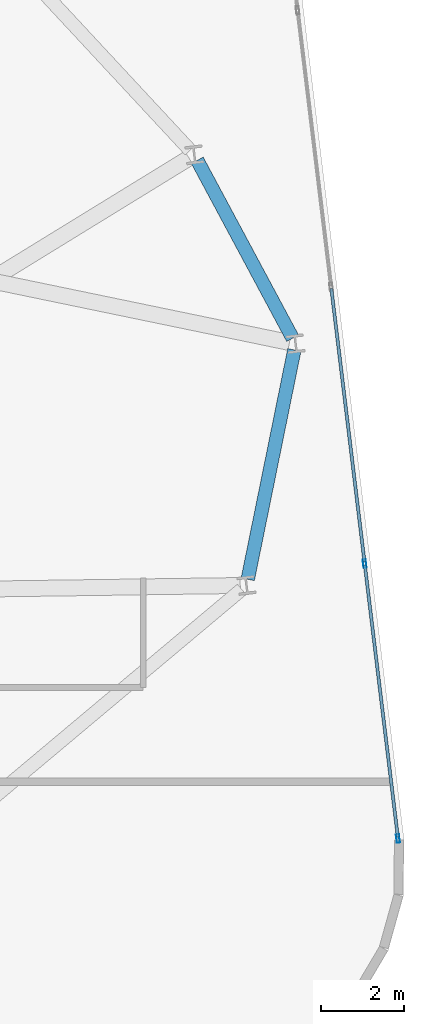
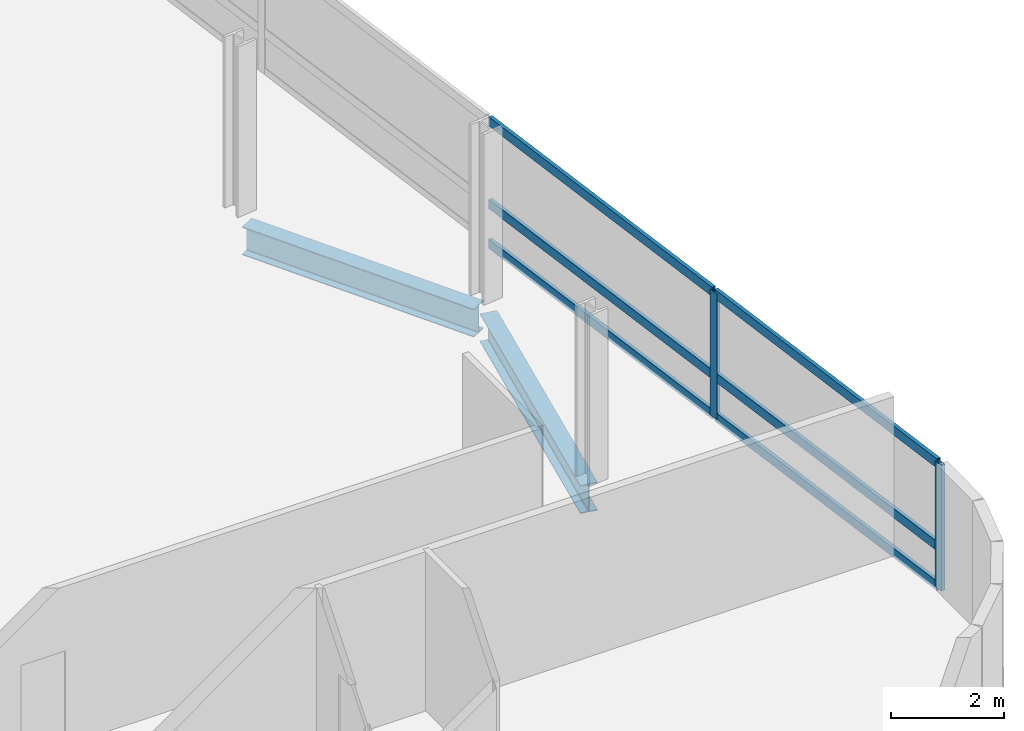
# One storey, part 10 of 22: 8 members, 2 beams, 1 element without a shape of its own.
"""IFC4 building model written with IfcOpenShell, lengths in metres."""

from ifc_helpers import new_model, si_unit, direction, frame, origin, origin_2d, place, context, subcontext, project, spatial, hollow_rectangle, i_section, extrude, material, layer, layer_set, material_profile, profile_set, type_object, element, aggregate, save


model = new_model("IFC4")

# Units and contexts
model_context = context("Model", 3, precision=1e-05, world=origin(), true_north=direction((0.0, 1.0)))
body_context = subcontext(model_context, "Body", "Model", "MODEL_VIEW")
ifc_project = project(units=[si_unit("LENGTHUNIT", "METRE"), si_unit("AREAUNIT", "SQUARE_METRE"), si_unit("VOLUMEUNIT", "CUBIC_METRE"), si_unit("PLANEANGLEUNIT", "RADIAN"), si_unit("MASSUNIT", "GRAM", prefix="KILO")], contexts=[model_context])

# Site, building, storey
site_placement = place(None, origin())
site = spatial("IfcSite", under=ifc_project, at=site_placement, CompositionType="ELEMENT")
building_placement = place(site_placement, origin())
building = spatial("IfcBuilding", under=site, at=building_placement, Name="Varnelok Gate Tower", CompositionType="ELEMENT")
storey_placement = place(building_placement, frame((0.0, 0.0, 178.300048828125)))
storey = spatial("IfcBuildingStorey", under=building, at=storey_placement, Name="L45", CompositionType="ELEMENT", Elevation=178.300048828125)

# Beams
ifc_material_1 = material(Name="Structural Steel ASTM A992 Grade 50", Category="steel")
ifc_material_profile_1 = material_profile(ifc_material_1, i_section(OverallWidth=0.323974609375, OverallDepth=0.611083984375, WebThickness=0.0126953125, FlangeThickness=0.01904296875, FilletRadius=0.01806640625, at=origin_2d()), Name="W24X104")
ifc_profile_set_1 = profile_set([ifc_material_profile_1], Name="Structural Steel ASTM A992 Grade 50")
beam_type = type_object("IfcBeamType", Name="BM-SPN-W24X104", PredefinedType="SPANDREL", material=ifc_profile_set_1)
beam_1_placement = place(storey_placement, frame((72.5068359375, 19.206298828125, -0.5556640625), z_axis=(0.19911018886, 0.979977108249, 0.0), x_axis=(-0.979977108249, 0.19911018886, 0.0)))
element("IfcBeam", 1, at=beam_1_placement, inside=storey, type_object=beam_type, Name="L45 Perimeter Spandrel Beam 6", PredefinedType="SPANDREL", context=body_context, shape_type="SweptSolid", body=[
    extrude(i_section(OverallWidth=0.323974609375, OverallDepth=0.611083984375, WebThickness=0.0126953125, FlangeThickness=0.01904296875, FilletRadius=0.01806640625, at=origin_2d()), origin(), (0.0, 0.0, 1.0), 5.612060546875),
])
beam_2_placement = place(storey_placement, frame((73.583251953125, 24.9853515625, -0.5556640625), z_axis=(-0.472471917257, 0.881345725242, 0.0), x_axis=(-0.881345725242, -0.472471917257, 0.0)))
element("IfcBeam", 2, at=beam_2_placement, inside=storey, type_object=beam_type, Name="L45 Perimeter Spandrel Beam 7", PredefinedType="SPANDREL", context=body_context, shape_type="SweptSolid", body=[
    extrude(i_section(OverallWidth=0.323974609375, OverallDepth=0.611083984375, WebThickness=0.0126953125, FlangeThickness=0.01904296875, FilletRadius=0.01806640625, at=origin_2d()), origin(), (0.0, 0.0, 1.0), 4.8408203125),
])

# Curtain wall, members
ifc_material_2 = material(Name="Anodized Aluminum Alloy 6063-T6", Category="aluminium")
ifc_layer = layer(ifc_material_2, 0.179931640625)
ifc_layer_set = layer_set([ifc_layer], Name="Anodized Aluminum Alloy 6063-T6")
curtain_wall_type = type_object("IfcCurtainWallType", Name="CW4-RESIDENCE-VISION", PredefinedType="USERDEFINED", material=ifc_layer_set)
curtain_wall_placement = place(storey_placement, origin())
curtain_wall = element("IfcCurtainWall", 3, at=curtain_wall_placement, inside=storey, type_object=curtain_wall_type, Name="L45 East End Vision Curtain Wall", ObjectType="UNITISED CURTAIN WALL", PredefinedType="USERDEFINED")
ifc_material_profile_2 = material_profile(ifc_material_2, hollow_rectangle(XDim=0.074951171875, YDim=0.199951171875, WallThickness=0.00390625, at=origin_2d()), Name="ALU200X75X4")
ifc_profile_set_2 = profile_set([ifc_material_profile_2], Name="Anodized Aluminum Alloy 6063-T6")
member_type_1 = type_object("IfcMemberType", Name="CW-MULL-200", PredefinedType="MULLION", material=ifc_profile_set_2)
member_1_placement = place(storey_placement, frame((75.310302734375, 19.584228515625, 0.0), z_axis=(0.0, 0.0, 1.0), x_axis=(0.992732188751, 0.120344511371, 0.0)))
member_1 = element("IfcMember", 4, at=member_1_placement, type_object=member_type_1, Name="CW4 mullion 5", PredefinedType="MULLION", context=body_context, shape_type="SweptSolid", body=[
    extrude(hollow_rectangle(XDim=0.074951171875, YDim=0.199951171875, WallThickness=0.00390625, at=origin_2d()), origin(), (0.0, 0.0, 1.0), 2.72998046875),
])
member_2_placement = place(storey_placement, frame((76.109619140625, 12.989990234375, 0.0), z_axis=(0.0, 0.0, 1.0), x_axis=(0.992732188751, 0.120344511371, 0.0)))
member_2 = element("IfcMember", 5, at=member_2_placement, type_object=member_type_1, Name="CW4 mullion 6", PredefinedType="MULLION", context=body_context, shape_type="SweptSolid", body=[
    extrude(hollow_rectangle(XDim=0.074951171875, YDim=0.199951171875, WallThickness=0.00390625, at=origin_2d()), origin(), (0.0, 0.0, 1.0), 2.72998046875),
])
ifc_material_profile_3 = material_profile(ifc_material_2, hollow_rectangle(XDim=0.074951171875, YDim=0.199951171875, WallThickness=0.00390625, at=origin_2d()), Name="ALU200X75X4")
ifc_profile_set_3 = profile_set([ifc_material_profile_3], Name="Anodized Aluminum Alloy 6063-T6")
member_type_2 = type_object("IfcMemberType", Name="CW-TRAN-200", PredefinedType="USERDEFINED", material=ifc_profile_set_3)
member_3_placement = place(storey_placement, frame((74.510986328125, 26.178466796875, 0.037353515625), z_axis=(0.120349029092, -0.992731641078, 0.0), x_axis=(0.992731641078, 0.120349029092, 0.0)))
member_3 = element("IfcMember", 6, at=member_3_placement, type_object=member_type_2, Name="CW4 transom 4.1", ObjectType="TRANSOM", PredefinedType="USERDEFINED", context=body_context, shape_type="SweptSolid", body=[
    extrude(hollow_rectangle(XDim=0.074951171875, YDim=0.199951171875, WallThickness=0.00390625, at=origin_2d()), origin(), (0.0, 0.0, 1.0), 6.605224609375),
])
member_4_placement = place(storey_placement, frame((74.510986328125, 26.178466796875, 0.89990234375), z_axis=(0.120349029092, -0.992731641078, 0.0), x_axis=(0.992731641078, 0.120349029092, 0.0)))
member_4 = element("IfcMember", 7, at=member_4_placement, type_object=member_type_2, Name="CW4 transom 4.2", ObjectType="TRANSOM", PredefinedType="USERDEFINED", context=body_context, shape_type="SweptSolid", body=[
    extrude(hollow_rectangle(XDim=0.074951171875, YDim=0.199951171875, WallThickness=0.00390625, at=origin_2d()), origin(), (0.0, 0.0, 1.0), 6.605224609375),
])
member_5_placement = place(storey_placement, frame((74.510986328125, 26.178466796875, 2.6923828125), z_axis=(0.120349029092, -0.992731641078, 0.0), x_axis=(0.992731641078, 0.120349029092, 0.0)))
member_5 = element("IfcMember", 8, at=member_5_placement, type_object=member_type_2, Name="CW4 transom 4.3", ObjectType="TRANSOM", PredefinedType="USERDEFINED", context=body_context, shape_type="SweptSolid", body=[
    extrude(hollow_rectangle(XDim=0.074951171875, YDim=0.199951171875, WallThickness=0.00390625, at=origin_2d()), origin(), (0.0, 0.0, 1.0), 6.605224609375),
])
member_6_placement = place(storey_placement, frame((75.314697265625, 19.546875, 0.037353515625), z_axis=(0.120369113246, -0.992729206066, 0.0), x_axis=(0.992729206066, 0.120369113246, 0.0)))
member_6 = element("IfcMember", 9, at=member_6_placement, type_object=member_type_2, Name="CW4 transom 5.1", ObjectType="TRANSOM", PredefinedType="USERDEFINED", context=body_context, shape_type="SweptSolid", body=[
    extrude(hollow_rectangle(XDim=0.074951171875, YDim=0.199951171875, WallThickness=0.00390625, at=origin_2d()), origin(), (0.0, 0.0, 1.0), 6.567626953125),
])
member_7_placement = place(storey_placement, frame((75.314697265625, 19.546875, 0.89990234375), z_axis=(0.120369113246, -0.992729206066, 0.0), x_axis=(0.992729206066, 0.120369113246, 0.0)))
member_7 = element("IfcMember", 10, at=member_7_placement, type_object=member_type_2, Name="CW4 transom 5.2", ObjectType="TRANSOM", PredefinedType="USERDEFINED", context=body_context, shape_type="SweptSolid", body=[
    extrude(hollow_rectangle(XDim=0.074951171875, YDim=0.199951171875, WallThickness=0.00390625, at=origin_2d()), origin(), (0.0, 0.0, 1.0), 6.567626953125),
])
member_8_placement = place(storey_placement, frame((75.314697265625, 19.546875, 2.6923828125), z_axis=(0.120369113246, -0.992729206066, 0.0), x_axis=(0.992729206066, 0.120369113246, 0.0)))
member_8 = element("IfcMember", 11, at=member_8_placement, type_object=member_type_2, Name="CW4 transom 5.3", ObjectType="TRANSOM", PredefinedType="USERDEFINED", context=body_context, shape_type="SweptSolid", body=[
    extrude(hollow_rectangle(XDim=0.074951171875, YDim=0.199951171875, WallThickness=0.00390625, at=origin_2d()), origin(), (0.0, 0.0, 1.0), 6.567626953125),
])
aggregate(curtain_wall, [member_1, member_2, member_3, member_4, member_5, member_6, member_7, member_8])

save(model, "model.ifc")
